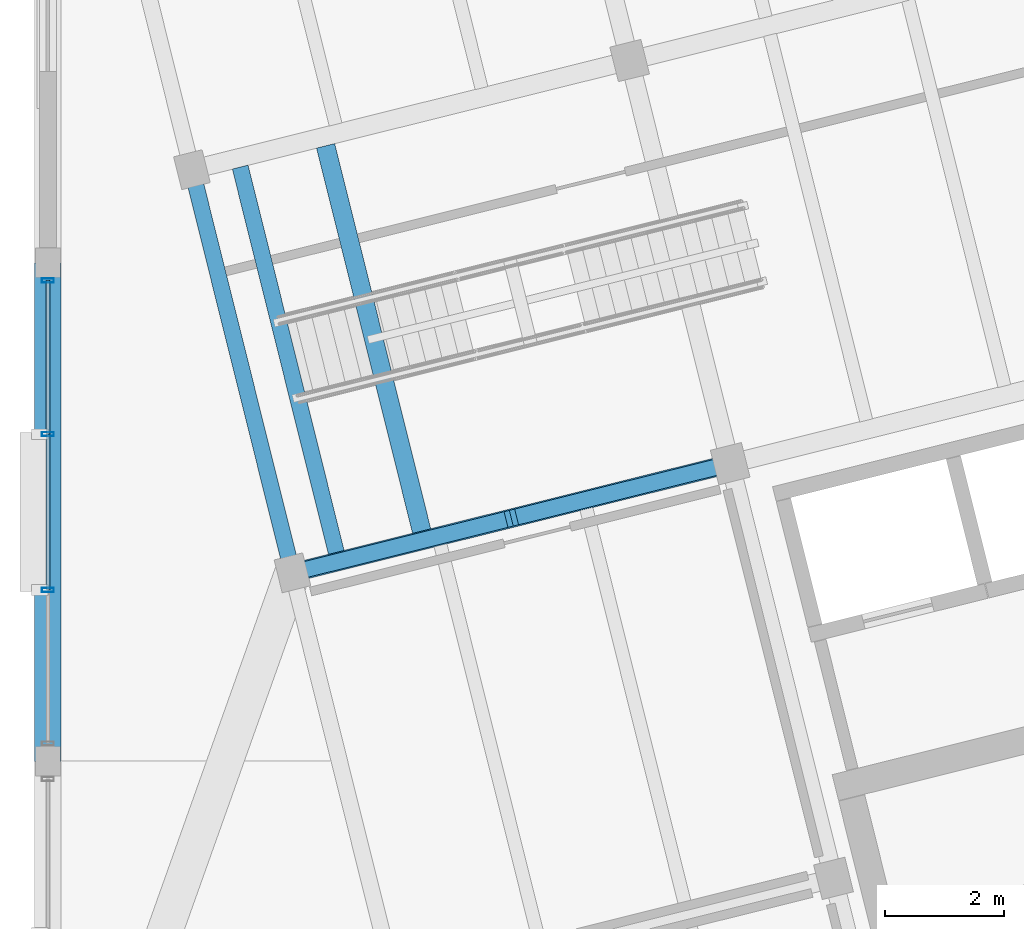
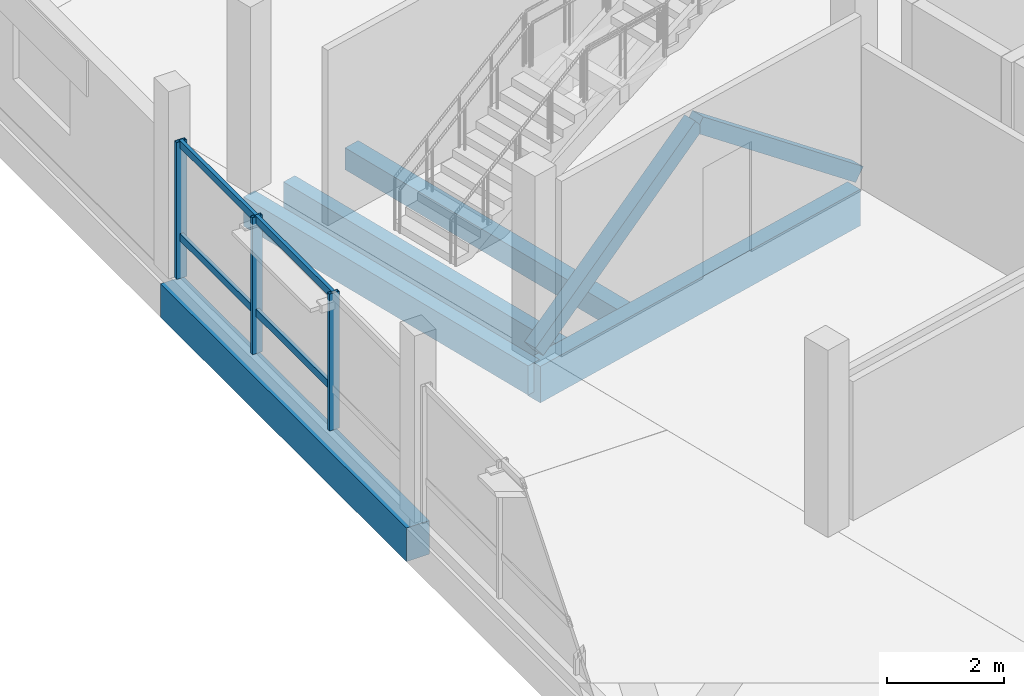
# One storey, part 22 of 62: 9 members, 5 beams, 1 element without a shape of its own.
"""IFC4 building model written with IfcOpenShell, lengths in metres."""

from ifc_helpers import new_model, si_unit, direction, frame, origin, origin_2d, place, context, subcontext, project, spatial, rectangle, hollow_rectangle, extrude, material, layer, layer_set, material_profile, profile_set, type_object, element, aggregate, save


model = new_model("IFC4")

# Units and contexts
model_context = context("Model", 3, precision=1e-05, world=origin(), true_north=direction((0.0, 1.0)))
body_context = subcontext(model_context, "Body", "Model", "MODEL_VIEW")
ifc_project = project(units=[si_unit("LENGTHUNIT", "METRE"), si_unit("AREAUNIT", "SQUARE_METRE"), si_unit("VOLUMEUNIT", "CUBIC_METRE"), si_unit("PLANEANGLEUNIT", "RADIAN"), si_unit("MASSUNIT", "GRAM", prefix="KILO")], contexts=[model_context])

# Site, building, storey
site_placement = place(None, origin())
site = spatial("IfcSite", under=ifc_project, at=site_placement, CompositionType="ELEMENT")
building_placement = place(site_placement, origin())
building = spatial("IfcBuilding", under=site, at=building_placement, Name="Meriwether Solvik Hall", CompositionType="ELEMENT")
storey_placement = place(building_placement, frame((0.0, 0.0, 14.39990234375)))
storey = spatial("IfcBuildingStorey", under=building, at=storey_placement, Name="L03", CompositionType="ELEMENT", Elevation=14.39990234375)

# Beams
ifc_material_1 = material(Name="Glulam Douglas-Fir 24F-V8 GL28h", Category="wood")
ifc_material_profile_1 = material_profile(ifc_material_1, rectangle(XDim=0.27294921875, YDim=0.610107421875, at=origin_2d()), Name="GLB-273X610")
ifc_profile_set_1 = profile_set([ifc_material_profile_1], Name="Glulam Douglas-Fir 24F-V8 GL28h")
beam_type_1 = type_object("IfcBeamType", Name="BM-GL-273X610", PredefinedType="SPANDREL", material=ifc_profile_set_1)
beam_1_placement = place(storey_placement, frame((63.51953125, 61.576171875, -0.5498046875), z_axis=(-0.241911879182, 0.970298223594, 0.0), x_axis=(-0.970298223594, -0.241911879182, 0.0)))
element("IfcBeam", 1, at=beam_1_placement, inside=storey, type_object=beam_type_1, Name="Tower Girder T1:TD-TE (L03)", PredefinedType="SPANDREL", context=body_context, shape_type="SweptSolid", body=[
    extrude(rectangle(XDim=0.27294921875, YDim=0.610107421875, at=origin_2d()), origin(), (0.0, 0.0, 1.0), 7.0),
])
ifc_material_2 = material(Name="Glulam Douglas-Fir 24F-V8 GL28h", Category="wood")
ifc_material_profile_2 = material_profile(ifc_material_2, rectangle(XDim=0.27294921875, YDim=0.68505859375, at=origin_2d()), Name="GLB-273X685")
ifc_profile_set_2 = profile_set([ifc_material_profile_2], Name="Glulam Douglas-Fir 24F-V8 GL28h")
beam_type_2 = type_object("IfcBeamType", Name="BM-GL-273X685", PredefinedType="BEAM", material=ifc_profile_set_2)
beam_2_placement = place(storey_placement, frame((64.25830078125, 61.920166015625, -0.58740234375), z_axis=(-0.241917328066, 0.970296865079, 0.0), x_axis=(-0.970296865079, -0.241917328066, 0.0)))
element("IfcBeam", 2, at=beam_2_placement, inside=storey, type_object=beam_type_2, Name="Stair ST-ED1 Bottom Trimmer Beam", PredefinedType="BEAM", context=body_context, shape_type="SweptSolid", body=[
    extrude(rectangle(XDim=0.27294921875, YDim=0.68505859375, at=origin_2d()), origin(), (0.0, 0.0, 1.0), 6.68994140625),
])
ifc_material_3 = material(Name="Glulam Douglas-Fir 24F-V8 GL28h", Category="wood")
ifc_material_profile_3 = material_profile(ifc_material_3, rectangle(XDim=0.31494140625, YDim=0.760009765625, at=origin_2d()), Name="GLB-315X760")
ifc_profile_set_3 = profile_set([ifc_material_profile_3], Name="Glulam Douglas-Fir 24F-V8 GL28h")
beam_type_3 = type_object("IfcBeamType", Name="BM-GL-315X760", PredefinedType="BEAM", material=ifc_profile_set_3)
beam_3_placement = place(storey_placement, frame((63.51953125, 61.576171875, -0.625), z_axis=(0.970295366785, 0.241923337436, 0.0), x_axis=(-0.241923337436, 0.970295366785, 0.0)))
element("IfcBeam", 3, at=beam_3_placement, inside=storey, type_object=beam_type_3, Name="Tower Girder TD:T1-T2 (L03)", PredefinedType="BEAM", context=body_context, shape_type="SweptSolid", body=[
    extrude(rectangle(XDim=0.31494140625, YDim=0.760009765625, at=origin_2d()), origin(), (0.0, 0.0, 1.0), 7.60009765625),
])
ifc_material_4 = material(Name="Glulam Douglas-Fir 24F-V8 GL28h", Category="wood")
ifc_material_profile_4 = material_profile(ifc_material_4, rectangle(XDim=0.31494140625, YDim=0.455078125, at=origin_2d()), Name="GLB-315X455")
ifc_profile_set_4 = profile_set([ifc_material_profile_4], Name="Glulam Douglas-Fir 24F-V8 GL28h")
beam_type_4 = type_object("IfcBeamType", Name="BM-LND-GL-315X455", PredefinedType="BEAM", material=ifc_profile_set_4)
beam_4_placement = place(storey_placement, frame((65.697509765625, 62.279052734375, -0.472412109375), z_axis=(-0.241951685637, 0.9702882983, 0.0), x_axis=(-0.9702882983, -0.241951685637, 0.0)))
element("IfcBeam", 4, at=beam_4_placement, inside=storey, type_object=beam_type_4, Name="Stair ST-ED1 Spine Trimmer Beam", PredefinedType="BEAM", context=body_context, shape_type="SweptSolid", body=[
    extrude(rectangle(XDim=0.31494140625, YDim=0.455078125, at=origin_2d()), origin(), (0.0, 0.0, 1.0), 6.68994140625),
])
ifc_material_5 = material(Name="Concrete C40/50", Category="concrete")
ifc_material_profile_5 = material_profile(ifc_material_5, rectangle(XDim=0.449951171875, YDim=0.699951171875, at=origin_2d()), Name="RCB-450X700")
ifc_profile_set_5 = profile_set([ifc_material_profile_5], Name="Concrete C40/50")
beam_type_5 = type_object("IfcBeamType", Name="BM-RC-450X700", PredefinedType="BEAM", material=ifc_profile_set_5)
beam_5_placement = place(storey_placement, frame((59.39990234375, 58.39990234375, -0.594970703125), z_axis=(0.0, 1.0, 0.0), x_axis=(-1.0, 0.0, 0.0)))
element("IfcBeam", 5, at=beam_5_placement, inside=storey, type_object=beam_type_5, Name="Podium Girder 7:G-H (L03)", PredefinedType="BEAM", context=body_context, shape_type="SweptSolid", body=[
    extrude(rectangle(XDim=0.449951171875, YDim=0.699951171875, at=origin_2d()), origin(), (0.0, 0.0, 1.0), 8.400146484375),
])

# Curtain wall, members
ifc_material_6 = material(Name="Thermally Broken Anodised Aluminium 6063-T6 and Low-E Glass", Category="aluminium")
ifc_layer = layer(ifc_material_6, 0.179931640625)
ifc_layer_set = layer_set([ifc_layer], Name="Thermally Broken Anodised Aluminium 6063-T6 and Low-E Glass")
curtain_wall_type = type_object("IfcCurtainWallType", Name="CW-UNIT-E", PredefinedType="USERDEFINED", material=ifc_layer_set)
curtain_wall_placement = place(storey_placement, origin())
curtain_wall = element("IfcCurtainWall", 6, at=curtain_wall_placement, inside=storey, type_object=curtain_wall_type, Name="Curtain Wall wing_Y7_7_30 (L03)", ObjectType="UNITISED CURTAIN WALL", PredefinedType="USERDEFINED")
ifc_material_7 = material(Name="Anodised Aluminium 6063-T6", Category="aluminium")
ifc_material_profile_6 = material_profile(ifc_material_7, hollow_rectangle(XDim=0.070068359375, YDim=0.199951171875, WallThickness=0.0048828125, at=origin_2d()), Name="CWM-70X200")
ifc_profile_set_6 = profile_set([ifc_material_profile_6], Name="Anodised Aluminium 6063-T6")
member_type_1 = type_object("IfcMemberType", Name="CW-MUL-70X200", PredefinedType="MULLION", material=ifc_profile_set_6)
member_1_placement = place(storey_placement, frame((59.39990234375, 61.28662109375, 0.0), z_axis=(0.0, 0.0, 1.0), x_axis=(0.0, 1.0, 0.0)))
member_1 = element("IfcMember", 7, at=member_1_placement, type_object=member_type_1, Name="Curtain Wall Mullion 2", PredefinedType="MULLION", context=body_context, shape_type="SweptSolid", body=[
    extrude(hollow_rectangle(XDim=0.070068359375, YDim=0.199951171875, WallThickness=0.0048828125, at=origin_2d()), origin(), (0.0, 0.0, 1.0), 2.85498046875),
])
member_2_placement = place(storey_placement, frame((59.39990234375, 63.91357421875, 0.0), z_axis=(0.0, 0.0, 1.0), x_axis=(0.0, 1.0, 0.0)))
member_2 = element("IfcMember", 8, at=member_2_placement, type_object=member_type_1, Name="Curtain Wall Mullion 3", PredefinedType="MULLION", context=body_context, shape_type="SweptSolid", body=[
    extrude(hollow_rectangle(XDim=0.070068359375, YDim=0.199951171875, WallThickness=0.0048828125, at=origin_2d()), origin(), (0.0, 0.0, 1.0), 2.85498046875),
])
member_3_placement = place(storey_placement, frame((59.39990234375, 66.50244140625, 0.0), z_axis=(0.0, 0.0, 1.0), x_axis=(0.0, 1.0, 0.0)))
member_3 = element("IfcMember", 9, at=member_3_placement, type_object=member_type_1, Name="Curtain Wall Mullion 4", PredefinedType="MULLION", context=body_context, shape_type="SweptSolid", body=[
    extrude(hollow_rectangle(XDim=0.070068359375, YDim=0.199951171875, WallThickness=0.0048828125, at=origin_2d()), origin(), (0.0, 0.0, 1.0), 2.85498046875),
])
ifc_material_8 = material(Name="Anodised Aluminium 6063-T6", Category="aluminium")
ifc_material_profile_7 = material_profile(ifc_material_8, hollow_rectangle(XDim=0.070068359375, YDim=0.14990234375, WallThickness=0.0048828125, at=origin_2d()), Name="CWT-70X150")
ifc_profile_set_7 = profile_set([ifc_material_profile_7], Name="Anodised Aluminium 6063-T6")
member_type_2 = type_object("IfcMemberType", Name="CW-TRN-70X150", PredefinedType="USERDEFINED", material=ifc_profile_set_7)
member_4_placement = place(storey_placement, frame((59.39990234375, 61.28662109375, 0.856689453125), z_axis=(0.0, 1.0, 0.0), x_axis=(-1.0, 0.0, 0.0)))
member_4 = element("IfcMember", 10, at=member_4_placement, type_object=member_type_2, Name="Curtain Wall Transom 2-sill", ObjectType="TRANSOM", PredefinedType="USERDEFINED", context=body_context, shape_type="SweptSolid", body=[
    extrude(hollow_rectangle(XDim=0.070068359375, YDim=0.14990234375, WallThickness=0.0048828125, at=origin_2d()), origin(), (0.0, 0.0, 1.0), 2.626953125),
])
member_5_placement = place(storey_placement, frame((59.39990234375, 61.28662109375, 2.795166015625), z_axis=(0.0, 1.0, 0.0), x_axis=(-1.0, 0.0, 0.0)))
member_5 = element("IfcMember", 11, at=member_5_placement, type_object=member_type_2, Name="Curtain Wall Transom 2-head", ObjectType="TRANSOM", PredefinedType="USERDEFINED", context=body_context, shape_type="SweptSolid", body=[
    extrude(hollow_rectangle(XDim=0.070068359375, YDim=0.14990234375, WallThickness=0.0048828125, at=origin_2d()), origin(), (0.0, 0.0, 1.0), 2.626953125),
])
member_6_placement = place(storey_placement, frame((59.39990234375, 63.91357421875, 0.856689453125), z_axis=(0.0, 1.0, 0.0), x_axis=(-1.0, 0.0, 0.0)))
member_6 = element("IfcMember", 12, at=member_6_placement, type_object=member_type_2, Name="Curtain Wall Transom 3-sill", ObjectType="TRANSOM", PredefinedType="USERDEFINED", context=body_context, shape_type="SweptSolid", body=[
    extrude(hollow_rectangle(XDim=0.070068359375, YDim=0.14990234375, WallThickness=0.0048828125, at=origin_2d()), origin(), (0.0, 0.0, 1.0), 2.5888671875),
])
member_7_placement = place(storey_placement, frame((59.39990234375, 63.91357421875, 2.795166015625), z_axis=(0.0, 1.0, 0.0), x_axis=(-1.0, 0.0, 0.0)))
member_7 = element("IfcMember", 13, at=member_7_placement, type_object=member_type_2, Name="Curtain Wall Transom 3-head", ObjectType="TRANSOM", PredefinedType="USERDEFINED", context=body_context, shape_type="SweptSolid", body=[
    extrude(hollow_rectangle(XDim=0.070068359375, YDim=0.14990234375, WallThickness=0.0048828125, at=origin_2d()), origin(), (0.0, 0.0, 1.0), 2.5888671875),
])
aggregate(curtain_wall, [member_1, member_2, member_3, member_4, member_5, member_6, member_7])

# Members
ifc_material_9 = material(Name="Glulam Douglas-Fir 24F-V8 GL28h", Category="wood")
ifc_material_profile_8 = material_profile(ifc_material_9, rectangle(XDim=0.27294921875, YDim=0.304931640625, at=origin_2d()), Name="GLM-273X305")
ifc_profile_set_8 = profile_set([ifc_material_profile_8], Name="Glulam Douglas-Fir 24F-V8 GL28h")
member_type_3 = type_object("IfcMemberType", Name="MEM-BR-GL273", PredefinedType="BRACE", material=ifc_profile_set_8)
member_8_placement = place(storey_placement, frame((63.51953125, 61.576171875, 0.050048828125), z_axis=(0.772812720145, 0.192704277565, 0.604669795004), x_axis=(-0.241946039438, 0.970289706222, 0.0)))
element("IfcMember", 14, at=member_8_placement, inside=storey, type_object=member_type_3, Name="Tower Chevron Brace L03-B2A", PredefinedType="BRACE", context=body_context, shape_type="SweptSolid", body=[
    extrude(rectangle(XDim=0.27294921875, YDim=0.304931640625, at=origin_2d()), origin(), (0.0, 0.0, 1.0), 4.771240234375),
])
member_9_placement = place(storey_placement, frame((70.893798828125, 63.414794921875, 0.050048828125), z_axis=(-0.772799729756, -0.19266262631, 0.60469966935), x_axis=(0.241900633533, -0.970301027257, 0.0)))
element("IfcMember", 15, at=member_9_placement, inside=storey, type_object=member_type_3, Name="Tower Chevron Brace L03-B2B", PredefinedType="BRACE", context=body_context, shape_type="SweptSolid", body=[
    extrude(rectangle(XDim=0.27294921875, YDim=0.304931640625, at=origin_2d()), origin(), (0.0, 0.0, 1.0), 4.77099609375),
])

save(model, "model.ifc")
